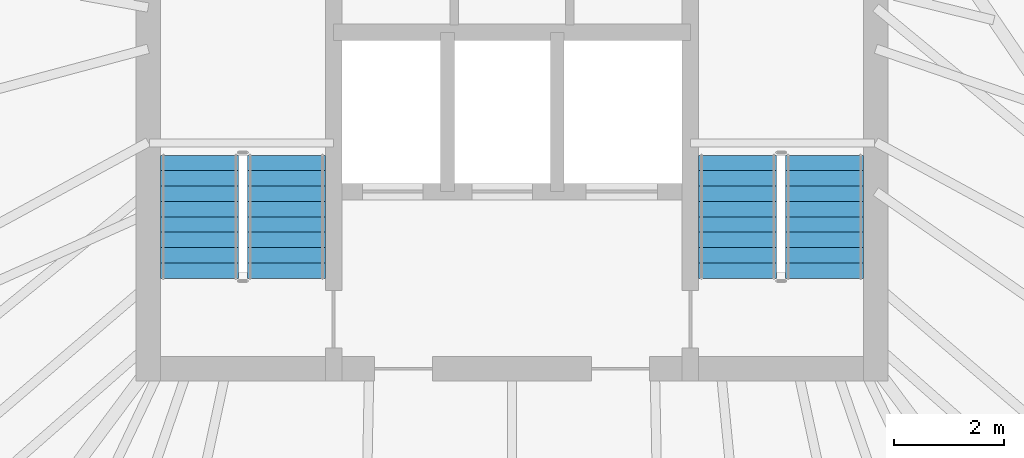
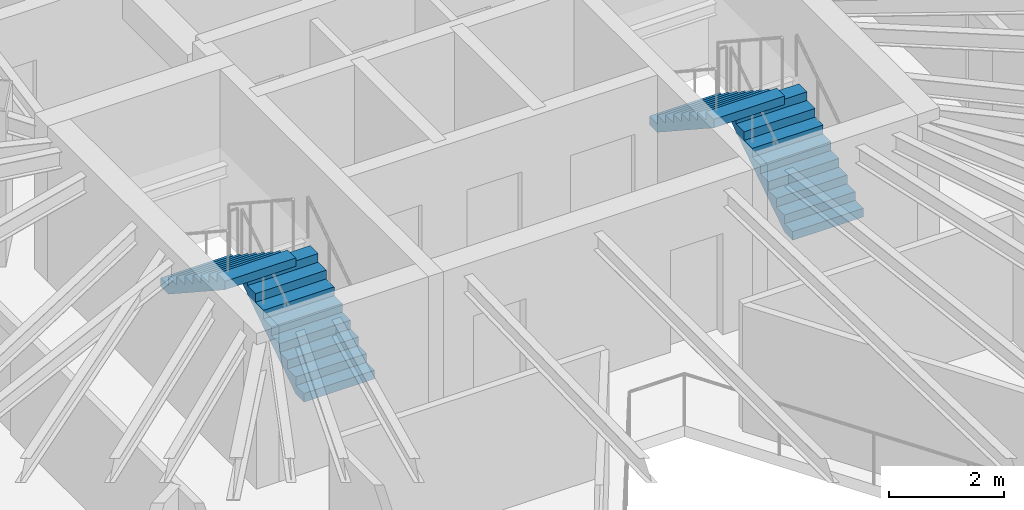
# One storey, part 31 of 34: 4 stair flights, 2 elements without a shape of their own.
"""IFC4 building model written with IfcOpenShell, lengths in metres."""

from ifc_helpers import new_model, si_unit, direction, frame, origin, place, context, subcontext, project, spatial, polyline, outline, extrude, material, type_object, element, aggregate, save


model = new_model("IFC4")

# Units and contexts
model_context = context("Model", 3, precision=1e-05, world=origin(), true_north=direction((0.0, 1.0)))
body_context = subcontext(model_context, "Body", "Model", "MODEL_VIEW")
ifc_project = project(units=[si_unit("LENGTHUNIT", "METRE"), si_unit("AREAUNIT", "SQUARE_METRE"), si_unit("VOLUMEUNIT", "CUBIC_METRE"), si_unit("PLANEANGLEUNIT", "RADIAN"), si_unit("MASSUNIT", "GRAM", prefix="KILO")], contexts=[model_context])

# Site, building, storey
site_placement = place(None, origin())
site = spatial("IfcSite", under=ifc_project, at=site_placement, CompositionType="ELEMENT")
building_placement = place(site_placement, origin())
building = spatial("IfcBuilding", under=site, at=building_placement, Name="Orvanel Arch Residences", CompositionType="ELEMENT")
storey_placement = place(building_placement, frame((0.0, 0.0, 64.25)))
storey = spatial("IfcBuildingStorey", under=building, at=storey_placement, Name="L17", CompositionType="ELEMENT", Elevation=64.25)

# Stair, stair flights
ifc_material = material(Name="Precast concrete N50 (50 MPa)", Category="concrete")
stair_type = type_object("IfcStairType", Name="STR-DOG-184", PredefinedType="USERDEFINED", material=ifc_material)
stair_1_placement = place(storey_placement, origin())
stair_1 = element("IfcStair", 1, at=stair_1_placement, inside=storey, type_object=stair_type, Name="L17 Fire-Isolated Core Exit Stair 1", ObjectType="TWO_RETURN_STAIR", PredefinedType="USERDEFINED")
stair_flight_type_1 = type_object("IfcStairFlightType", Name="SFL-C1-184", PredefinedType="STRAIGHT", material=ifc_material)
stair_flight_1_placement = place(storey_placement, frame((28.889892578125, 28.320068359375, 0.0), z_axis=(0.0, 0.0, 1.0), x_axis=(0.0, 1.0, 0.0)))
stair_flight_1 = element("IfcStairFlight", 2, at=stair_flight_1_placement, type_object=stair_flight_type_1, Name="ST-1 flight 1", NumberOfRisers=9, NumberOfTreads=8, PredefinedType="STRAIGHT", RiserHeight=0.183333333, TreadLength=0.28, context=body_context, shape_type="SweptSolid", body=[
    extrude(outline(polyline([(0.0, 0.0), (0.0, 0.183349609375), (0.280029296875, 0.183349609375), (0.280029296875, 0.36669921875), (0.56005859375, 0.36669921875), (0.56005859375, 0.550048828125), (0.840087890625, 0.550048828125), (0.840087890625, 0.7333984375), (1.1201171875, 0.7333984375), (1.1201171875, 0.916748046875), (1.39990234375, 0.916748046875), (1.39990234375, 1.10009765625), (1.679931640625, 1.10009765625), (1.679931640625, 1.283447265625), (1.9599609375, 1.283447265625), (1.9599609375, 1.466552734375), (2.239990234375, 1.466552734375), (2.239990234375, 1.64990234375), (2.239990234375, 1.28759765625), (0.273681640625, 0.0), (0.0, 0.0)])), frame((0.0, 0.7099609375, 0.0), z_axis=(0.0, -1.0, 0.0), x_axis=(1.0, 0.0, 0.0)), (0.0, 0.0, 1.0), 1.419921875),
])
stair_flight_2_placement = place(storey_placement, frame((27.31005859375, 30.56005859375, 1.64990234375), z_axis=(0.0, 0.0, 1.0), x_axis=(0.0, -1.0, 0.0)))
stair_flight_2 = element("IfcStairFlight", 3, at=stair_flight_2_placement, type_object=stair_flight_type_1, Name="ST-1 flight 2", NumberOfRisers=9, NumberOfTreads=8, PredefinedType="STRAIGHT", RiserHeight=0.183333333, TreadLength=0.28, context=body_context, shape_type="SweptSolid", body=[
    extrude(outline(polyline([(0.0, 0.0), (0.0, 0.183349609375), (0.280029296875, 0.183349609375), (0.280029296875, 0.36669921875), (0.56005859375, 0.36669921875), (0.56005859375, 0.550048828125), (0.840087890625, 0.550048828125), (0.840087890625, 0.7333984375), (1.1201171875, 0.7333984375), (1.1201171875, 0.916748046875), (1.39990234375, 0.916748046875), (1.39990234375, 1.10009765625), (1.679931640625, 1.10009765625), (1.679931640625, 1.283447265625), (1.9599609375, 1.283447265625), (1.9599609375, 1.466552734375), (2.239990234375, 1.466552734375), (2.239990234375, 1.64990234375), (2.239990234375, 1.28759765625), (0.273681640625, 0.0), (0.0, 0.0)])), frame((0.0, 0.7099609375, 0.0), z_axis=(0.0, -1.0, 0.0), x_axis=(1.0, 0.0, 0.0)), (0.0, 0.0, 1.0), 1.419921875),
])
aggregate(stair_1, [stair_flight_1, stair_flight_2])

stair_2_placement = place(storey_placement, origin())
stair_2 = element("IfcStair", 4, at=stair_2_placement, inside=storey, type_object=stair_type, Name="L17 Fire-Isolated Core Exit Stair 2", ObjectType="TWO_RETURN_STAIR", PredefinedType="USERDEFINED")
stair_flight_type_2 = type_object("IfcStairFlightType", Name="SFL-C2-184", PredefinedType="STRAIGHT", material=ifc_material)
stair_flight_3_placement = place(storey_placement, frame((38.68994140625, 28.320068359375, 0.0), z_axis=(0.0, 0.0, 1.0), x_axis=(0.0, 1.0, 0.0)))
stair_flight_3 = element("IfcStairFlight", 5, at=stair_flight_3_placement, type_object=stair_flight_type_2, Name="ST-2 flight 1", NumberOfRisers=9, NumberOfTreads=8, PredefinedType="STRAIGHT", RiserHeight=0.183333333, TreadLength=0.28, context=body_context, shape_type="SweptSolid", body=[
    extrude(outline(polyline([(0.0, 0.0), (0.0, 0.183349609375), (0.280029296875, 0.183349609375), (0.280029296875, 0.36669921875), (0.56005859375, 0.36669921875), (0.56005859375, 0.550048828125), (0.840087890625, 0.550048828125), (0.840087890625, 0.7333984375), (1.1201171875, 0.7333984375), (1.1201171875, 0.916748046875), (1.39990234375, 0.916748046875), (1.39990234375, 1.10009765625), (1.679931640625, 1.10009765625), (1.679931640625, 1.283447265625), (1.9599609375, 1.283447265625), (1.9599609375, 1.466552734375), (2.239990234375, 1.466552734375), (2.239990234375, 1.64990234375), (2.239990234375, 1.28759765625), (0.273681640625, 0.0), (0.0, 0.0)])), frame((0.0, 0.7099609375, 0.0), z_axis=(0.0, -1.0, 0.0), x_axis=(1.0, 0.0, 0.0)), (0.0, 0.0, 1.0), 1.419921875),
])
stair_flight_4_placement = place(storey_placement, frame((37.110107421875, 30.56005859375, 1.64990234375), z_axis=(0.0, 0.0, 1.0), x_axis=(0.0, -1.0, 0.0)))
stair_flight_4 = element("IfcStairFlight", 6, at=stair_flight_4_placement, type_object=stair_flight_type_2, Name="ST-2 flight 2", NumberOfRisers=9, NumberOfTreads=8, PredefinedType="STRAIGHT", RiserHeight=0.183333333, TreadLength=0.28, context=body_context, shape_type="SweptSolid", body=[
    extrude(outline(polyline([(0.0, 0.0), (0.0, 0.183349609375), (0.280029296875, 0.183349609375), (0.280029296875, 0.36669921875), (0.56005859375, 0.36669921875), (0.56005859375, 0.550048828125), (0.840087890625, 0.550048828125), (0.840087890625, 0.7333984375), (1.1201171875, 0.7333984375), (1.1201171875, 0.916748046875), (1.39990234375, 0.916748046875), (1.39990234375, 1.10009765625), (1.679931640625, 1.10009765625), (1.679931640625, 1.283447265625), (1.9599609375, 1.283447265625), (1.9599609375, 1.466552734375), (2.239990234375, 1.466552734375), (2.239990234375, 1.64990234375), (2.239990234375, 1.28759765625), (0.273681640625, 0.0), (0.0, 0.0)])), frame((0.0, 0.7099609375, 0.0), z_axis=(0.0, -1.0, 0.0), x_axis=(1.0, 0.0, 0.0)), (0.0, 0.0, 1.0), 1.419921875),
])
aggregate(stair_2, [stair_flight_3, stair_flight_4])

save(model, "model.ifc")
